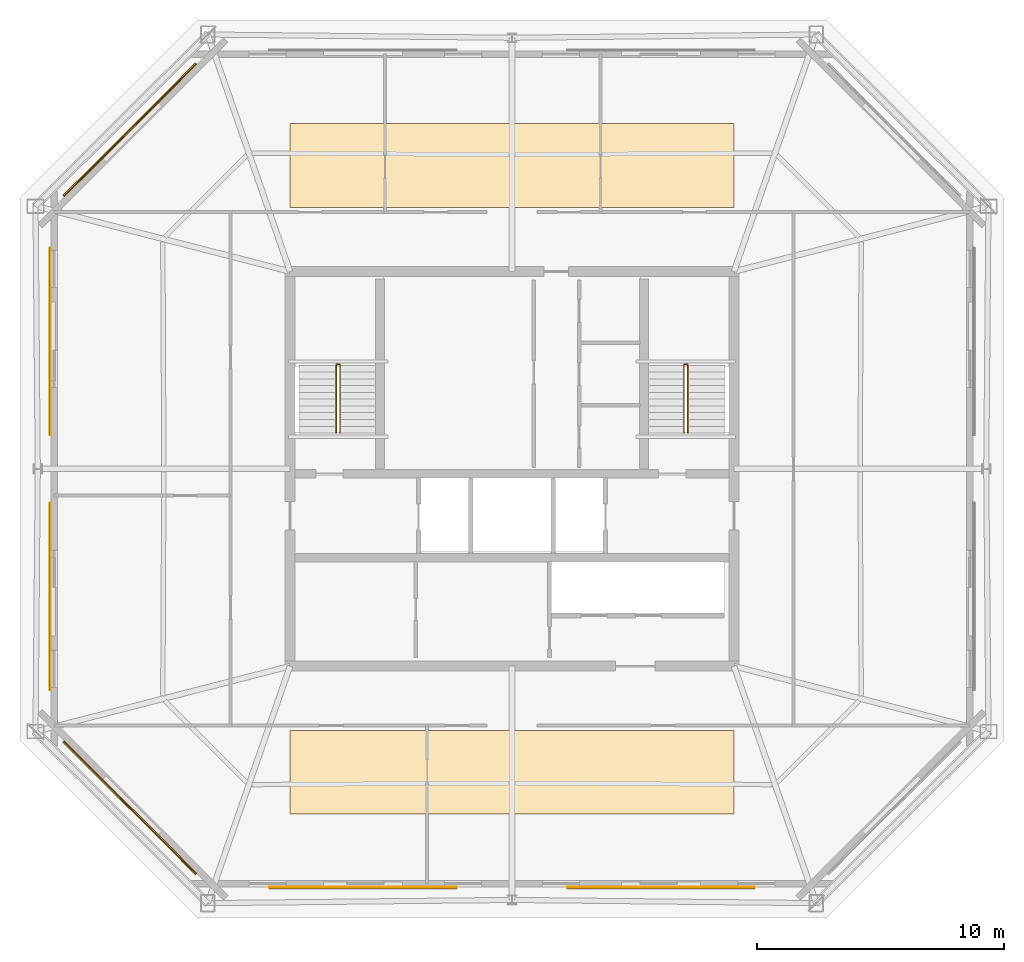
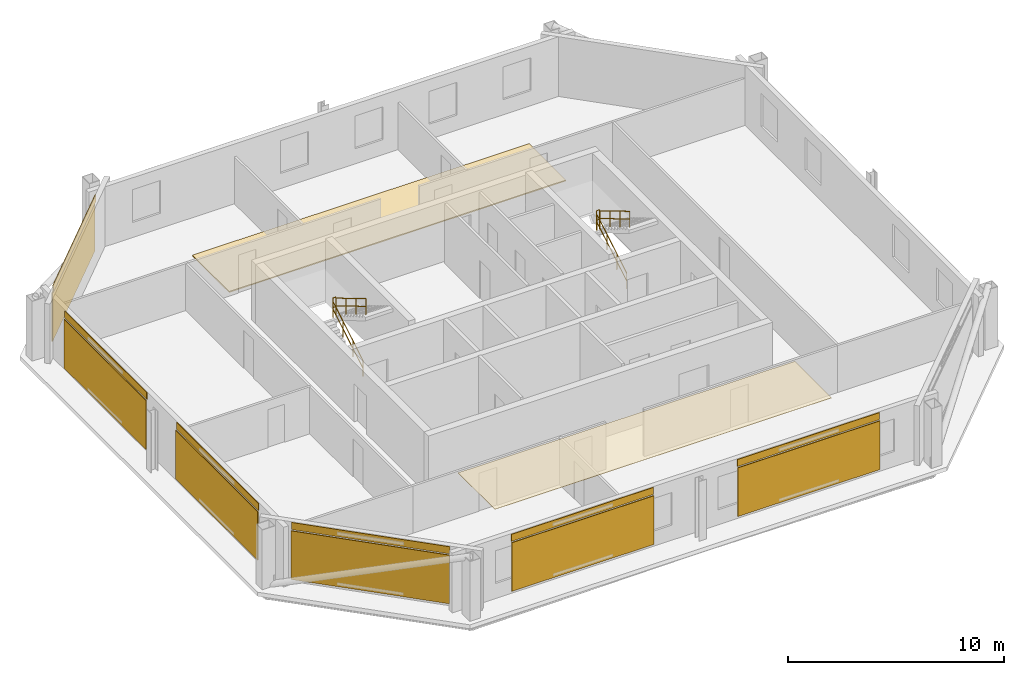
# One storey, part 5 of 6: 8 coverings, 6 railings, 6 shading devices.
"""IFC4 building model written with IfcOpenShell, lengths in metres."""

from ifc_helpers import new_model, si_unit, direction, frame, origin, origin_2d, place, context, subcontext, project, spatial, polyline, rectangle, circle, outline, extrude, material, layer, layer_set, type_object, element, save


model = new_model("IFC4")

# Units and contexts
model_context = context("Model", 3, precision=1e-05, world=origin(), true_north=direction((0.0, 1.0)))
body_context = subcontext(model_context, "Body", "Model", "MODEL_VIEW")
ifc_project = project(units=[si_unit("LENGTHUNIT", "METRE"), si_unit("AREAUNIT", "SQUARE_METRE"), si_unit("VOLUMEUNIT", "CUBIC_METRE"), si_unit("PLANEANGLEUNIT", "RADIAN"), si_unit("MASSUNIT", "GRAM", prefix="KILO")], contexts=[model_context])

# Site, building, storey
site_placement = place(None, origin())
site = spatial("IfcSite", under=ifc_project, at=site_placement, CompositionType="ELEMENT")
building_placement = place(site_placement, origin())
building = spatial("IfcBuilding", under=site, at=building_placement, Name="Caelvoria Tower", CompositionType="ELEMENT")
storey_placement = place(building_placement, frame((0.0, 0.0, 243.0)))
storey = spatial("IfcBuildingStorey", under=building, at=storey_placement, Name="L64", CompositionType="ELEMENT", Elevation=243.0)

# Coverings
ifc_material_1 = material(Name="Acoustic Mineral Fibre Tile", Category="gypsum")
ifc_layer_1 = layer(ifc_material_1, 0.02490234375, Name="Acoustic Mineral Fibre Tile")
ifc_layer_set_1 = layer_set([ifc_layer_1], Name="Mineral-Fibre Acoustic Suspended Ceiling 25 - Acoustic Mineral Fibre Tile")
covering_type_1 = type_object("IfcCoveringType", Name="Mineral-Fibre Acoustic Suspended Ceiling 25", PredefinedType="CEILING", material=ifc_layer_set_1)
covering_1_placement = place(storey_placement, frame((0.0, 0.0, 2.64990234375)))
element("IfcCovering", 1, at=covering_1_placement, inside=storey, type_object=covering_type_1, Name="Suspended Acoustic Ceiling L64", PredefinedType="CEILING", context=body_context, shape_type="SweptSolid", body=[
    extrude(outline(polyline([(37.0, 18.0), (55.0, 18.0), (55.0, 21.39990234375), (37.0, 21.39990234375), (37.0, 18.0)])), origin(), (0.0, 0.0, 1.0), 0.025146484375),
])
ifc_material_2 = material(Name="Perforated Architectural Bronze Cladding Screen", Category="bronze")
ifc_layer_2 = layer(ifc_material_2, 0.0400390625, Name="Perforated Architectural Bronze Cladding Screen")
ifc_layer_set_2 = layer_set([ifc_layer_2], Name="Perforated Bronze Louvre Cladding Band 40 - Perforated Architectural Bronze Cladding Screen")
covering_type_2 = type_object("IfcCoveringType", Name="Perforated Bronze Louvre Cladding Band 40", PredefinedType="CLADDING", material=ifc_layer_set_2)
for number, where, z_axis, x_axis, name in (
    (2, (39.955078125, 15.035400390625, 2.955078125), (0.0, 0.0, 1.0), (1.0, 0.0, 0.0), "Perforated Bronze Screen Band L64-E0-00"),
    (3, (52.044921875, 15.035400390625, 2.955078125), (0.0, 0.0, 1.0), (1.0, 0.0, 0.0), "Perforated Bronze Screen Band L64-E0-01"),
    (4, (30.523681640625, 45.726318359375, 2.955078125), (0.0, 0.0, 1.0), (-0.707106781187, -0.707106781187, 0.0), "Perforated Bronze Screen Band L64-E5-00"),
    (5, (27.285400390625, 37.169921875, 2.955078125), (0.0, 0.0, 1.0), (0.0, -1.0, 0.0), "Perforated Bronze Screen Band L64-E6-00"),
    (6, (27.285400390625, 26.830078125, 2.955078125), (0.0, 0.0, 1.0), (0.0, -1.0, 0.0), "Perforated Bronze Screen Band L64-E6-01"),
    (7, (30.523681640625, 18.273681640625, 2.955078125), (0.0, 0.0, 1.0), (0.707106781187, -0.707106781187, 0.0), "Perforated Bronze Screen Band L64-E7-00"),
):
    element("IfcCovering", number, at=place(storey_placement, frame(where, z_axis=z_axis, x_axis=x_axis)), inside=storey, type_object=covering_type_2, Name=name, PredefinedType="CLADDING", context=body_context, shape_type="SweptSolid", body=[
        extrude(rectangle(XDim=7.60009765625, YDim=0.0400390625, at=origin_2d()), origin(), (0.0, 0.0, 1.0), 0.39990234375),
    ])

# Shading devices
ifc_material_3 = material(Name="Perforated Architectural Bronze Alloy Panel", Category="bronze")
ifc_layer_3 = layer(ifc_material_3, 0.044921875, Name="Perforated Architectural Bronze Alloy Panel")
ifc_layer_set_3 = layer_set([ifc_layer_3], Name="Perforated Bronze Solar Screen Panel SCREEN - Perforated Architectural Bronze Alloy Panel")
shading_device_type = type_object("IfcShadingDeviceType", Name="Perforated Bronze Solar Screen Panel SCREEN", PredefinedType="USERDEFINED", material=ifc_layer_set_3)
for number, where, z_axis, x_axis, name in (
    (8, (39.955078125, 14.992431640625, 0.159912109375), (0.0, 0.0, 1.0), (1.0, 0.0, 0.0), "Perforated Bronze Solar Screen L64-E0-00"),
    (9, (52.044921875, 14.992431640625, 0.159912109375), (0.0, 0.0, 1.0), (1.0, 0.0, 0.0), "Perforated Bronze Solar Screen L64-E0-01"),
    (10, (30.4931640625, 45.7568359375, 0.159912109375), (0.0, 0.0, 1.0), (-0.707106781187, -0.707106781187, 0.0), "Perforated Bronze Solar Screen L64-E5-00"),
    (11, (27.242431640625, 37.169921875, 0.159912109375), (0.0, 0.0, 1.0), (0.0, -1.0, 0.0), "Perforated Bronze Solar Screen L64-E6-00"),
    (12, (27.242431640625, 26.830078125, 0.159912109375), (0.0, 0.0, 1.0), (0.0, -1.0, 0.0), "Perforated Bronze Solar Screen L64-E6-01"),
    (13, (30.4931640625, 18.2431640625, 0.159912109375), (0.0, 0.0, 1.0), (0.707106781187, -0.707106781187, 0.0), "Perforated Bronze Solar Screen L64-E7-00"),
):
    element("IfcShadingDevice", number, at=place(storey_placement, frame(where, z_axis=z_axis, x_axis=x_axis)), inside=storey, type_object=shading_device_type, Name=name, ObjectType="SCREEN", PredefinedType="USERDEFINED", context=body_context, shape_type="SweptSolid", body=[
        extrude(rectangle(XDim=7.60009765625, YDim=0.044921875, at=origin_2d()), origin(), (0.0, 0.0, 1.0), 2.75),
    ])

# Covering
ifc_material_4 = material(Name="Calcium-Sulphate Raised Floor Tile", Category="gypsum")
ifc_layer_4 = layer(ifc_material_4, 0.06005859375, Name="Calcium-Sulphate Raised Floor Tile")
ifc_layer_set_4 = layer_set([ifc_layer_4], Name="Raised Access Office Floor System 120 - Calcium-Sulphate Raised Floor Tile")
covering_type_3 = type_object("IfcCoveringType", Name="Raised Access Office Floor System 120", PredefinedType="FLOORING", material=ifc_layer_set_4)
covering_2_placement = place(storey_placement, origin())
element("IfcCovering", 14, at=covering_2_placement, inside=storey, type_object=covering_type_3, Name="Raised Access Flooring L64", PredefinedType="FLOORING", context=body_context, shape_type="SweptSolid", body=[
    extrude(outline(polyline([(37.0, 42.60009765625), (55.0, 42.60009765625), (55.0, 46.0), (37.0, 46.0), (37.0, 42.60009765625)])), origin(), (0.0, 0.0, 1.0), 0.06005859375),
])

# Railings
ifc_material_5 = material(Name="Brushed Stainless Steel Tube", Category="steel")
railing_type_1 = type_object("IfcRailingType", Name="Stair Tubular Stainless Handrail 920", PredefinedType="HANDRAIL", material=ifc_material_5)
railing_1_placement = place(storey_placement, frame((38.8701171875, 33.449951171875, 0.16357421875)))
element("IfcRailing", 15, at=railing_1_placement, inside=storey, type_object=railing_type_1, Name="ST-01 Flight 1 Handrail L64", PredefinedType="HANDRAIL", context=body_context, shape_type="SweptSolid", body=[
    extrude(circle(Radius=0.02392578125, at=origin_2d()), frame((0.0, 0.0, 0.89599609375), z_axis=(0.0, 0.859351957796, 0.511384603436), x_axis=(-1.0, 0.0, 0.0)), (0.0, 0.0, 1.0), 3.2001953125),
    extrude(circle(Radius=0.02392578125, at=origin_2d()), frame((0.0, 0.0, 0.4599609375), z_axis=(0.0, 0.859351957796, 0.511384603436), x_axis=(-1.0, 0.0, 0.0)), (0.0, 0.0, 1.0), 3.2001953125),
    extrude(circle(Radius=0.02099609375, at=origin_2d()), origin(), (0.0, 0.0, 1.0), 0.871826171875),
    extrude(circle(Radius=0.02099609375, at=origin_2d()), frame((0.0, 0.916748046875, 0.54541015625)), (0.0, 0.0, 1.0), 0.871826171875),
    extrude(circle(Radius=0.02099609375, at=origin_2d()), frame((0.0, 1.833251953125, 1.091064453125)), (0.0, 0.0, 1.0), 0.871826171875),
    extrude(circle(Radius=0.02099609375, at=origin_2d()), frame((0.0, 2.75, 1.636474609375)), (0.0, 0.0, 1.0), 0.871826171875),
])
railing_2_placement = place(storey_placement, frame((39.030029296875, 36.199951171875, 1.963623046875)))
element("IfcRailing", 16, at=railing_2_placement, inside=storey, type_object=railing_type_1, Name="ST-01 Flight 2 Handrail L64", PredefinedType="HANDRAIL", context=body_context, shape_type="SweptSolid", body=[
    extrude(circle(Radius=0.02392578125, at=origin_2d()), frame((0.0, 0.0, 0.89599609375), z_axis=(0.0, -0.859351957796, 0.511384603436), x_axis=(1.0, 0.0, 0.0)), (0.0, 0.0, 1.0), 3.2001953125),
    extrude(circle(Radius=0.02392578125, at=origin_2d()), frame((0.0, 0.0, 0.4599609375), z_axis=(0.0, -0.859351957796, 0.511384603436), x_axis=(1.0, 0.0, 0.0)), (0.0, 0.0, 1.0), 3.2001953125),
    extrude(circle(Radius=0.02099609375, at=origin_2d()), origin(), (0.0, 0.0, 1.0), 0.871826171875),
    extrude(circle(Radius=0.02099609375, at=origin_2d()), frame((0.0, -0.916748046875, 0.54541015625)), (0.0, 0.0, 1.0), 0.871826171875),
    extrude(circle(Radius=0.02099609375, at=origin_2d()), frame((0.0, -1.833251953125, 1.091064453125)), (0.0, 0.0, 1.0), 0.871826171875),
    extrude(circle(Radius=0.02099609375, at=origin_2d()), frame((0.0, -2.75, 1.636474609375)), (0.0, 0.0, 1.0), 0.871826171875),
])
railing_3_placement = place(storey_placement, frame((52.969970703125, 33.449951171875, 0.16357421875)))
element("IfcRailing", 17, at=railing_3_placement, inside=storey, type_object=railing_type_1, Name="ST-02 Flight 1 Handrail L64", PredefinedType="HANDRAIL", context=body_context, shape_type="SweptSolid", body=[
    extrude(circle(Radius=0.02392578125, at=origin_2d()), frame((0.0, 0.0, 0.89599609375), z_axis=(0.0, 0.859351957796, 0.511384603436), x_axis=(-1.0, 0.0, 0.0)), (0.0, 0.0, 1.0), 3.2001953125),
    extrude(circle(Radius=0.02392578125, at=origin_2d()), frame((0.0, 0.0, 0.4599609375), z_axis=(0.0, 0.859351957796, 0.511384603436), x_axis=(-1.0, 0.0, 0.0)), (0.0, 0.0, 1.0), 3.2001953125),
    extrude(circle(Radius=0.02099609375, at=origin_2d()), origin(), (0.0, 0.0, 1.0), 0.871826171875),
    extrude(circle(Radius=0.02099609375, at=origin_2d()), frame((0.0, 0.916748046875, 0.54541015625)), (0.0, 0.0, 1.0), 0.871826171875),
    extrude(circle(Radius=0.02099609375, at=origin_2d()), frame((0.0, 1.833251953125, 1.091064453125)), (0.0, 0.0, 1.0), 0.871826171875),
    extrude(circle(Radius=0.02099609375, at=origin_2d()), frame((0.0, 2.75, 1.636474609375)), (0.0, 0.0, 1.0), 0.871826171875),
])
railing_4_placement = place(storey_placement, frame((53.1298828125, 36.199951171875, 1.963623046875)))
element("IfcRailing", 18, at=railing_4_placement, inside=storey, type_object=railing_type_1, Name="ST-02 Flight 2 Handrail L64", PredefinedType="HANDRAIL", context=body_context, shape_type="SweptSolid", body=[
    extrude(circle(Radius=0.02392578125, at=origin_2d()), frame((0.0, 0.0, 0.89599609375), z_axis=(0.0, -0.859351957796, 0.511384603436), x_axis=(1.0, 0.0, 0.0)), (0.0, 0.0, 1.0), 3.2001953125),
    extrude(circle(Radius=0.02392578125, at=origin_2d()), frame((0.0, 0.0, 0.4599609375), z_axis=(0.0, -0.859351957796, 0.511384603436), x_axis=(1.0, 0.0, 0.0)), (0.0, 0.0, 1.0), 3.2001953125),
    extrude(circle(Radius=0.02099609375, at=origin_2d()), origin(), (0.0, 0.0, 1.0), 0.871826171875),
    extrude(circle(Radius=0.02099609375, at=origin_2d()), frame((0.0, -0.916748046875, 0.54541015625)), (0.0, 0.0, 1.0), 0.871826171875),
    extrude(circle(Radius=0.02099609375, at=origin_2d()), frame((0.0, -1.833251953125, 1.091064453125)), (0.0, 0.0, 1.0), 0.871826171875),
    extrude(circle(Radius=0.02099609375, at=origin_2d()), frame((0.0, -2.75, 1.636474609375)), (0.0, 0.0, 1.0), 0.871826171875),
])
ifc_material_6 = material(Name="Brushed Stainless Steel Guardrail", Category="steel")
railing_type_2 = type_object("IfcRailingType", Name="Stair Well and Ramp Guardrail 1120", PredefinedType="GUARDRAIL", material=ifc_material_6)
for number, where, name in (
    (19, (38.8701171875, 36.239990234375, 1.800048828125), "ST-01 Half-Landing Well Guard L64"),
    (20, (52.969970703125, 36.239990234375, 1.800048828125), "ST-02 Half-Landing Well Guard L64"),
):
    element("IfcRailing", number, at=place(storey_placement, frame(where)), inside=storey, type_object=railing_type_2, Name=name, PredefinedType="GUARDRAIL", context=body_context, shape_type="SweptSolid", body=[
        extrude(circle(Radius=0.02392578125, at=origin_2d()), frame((0.0, 0.0, 1.09619140625), z_axis=(1.0, 0.0, 0.0), x_axis=(0.0, 1.0, 0.0)), (0.0, 0.0, 1.0), 0.159912109375),
        extrude(circle(Radius=0.02392578125, at=origin_2d()), frame((0.0, 0.0, 0.56005859375), z_axis=(1.0, 0.0, 0.0), x_axis=(0.0, 1.0, 0.0)), (0.0, 0.0, 1.0), 0.159912109375),
        extrude(circle(Radius=0.02099609375, at=origin_2d()), origin(), (0.0, 0.0, 1.0), 1.072021484375),
        extrude(circle(Radius=0.02099609375, at=origin_2d()), frame((0.159912109375, 0.0, 0.0)), (0.0, 0.0, 1.0), 1.072021484375),
    ])

save(model, "model.ifc")
